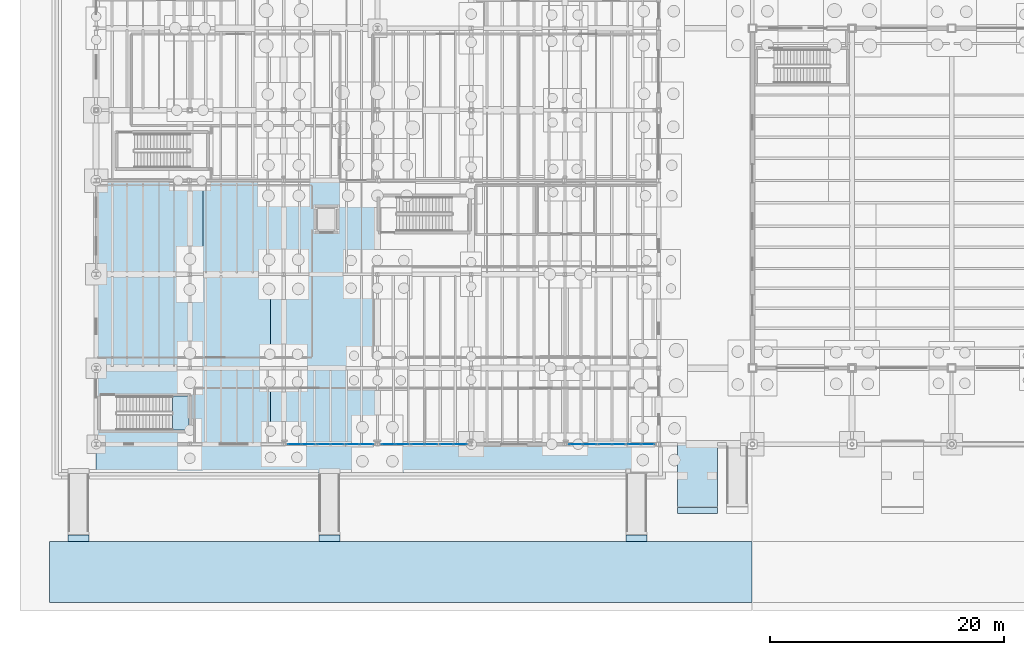
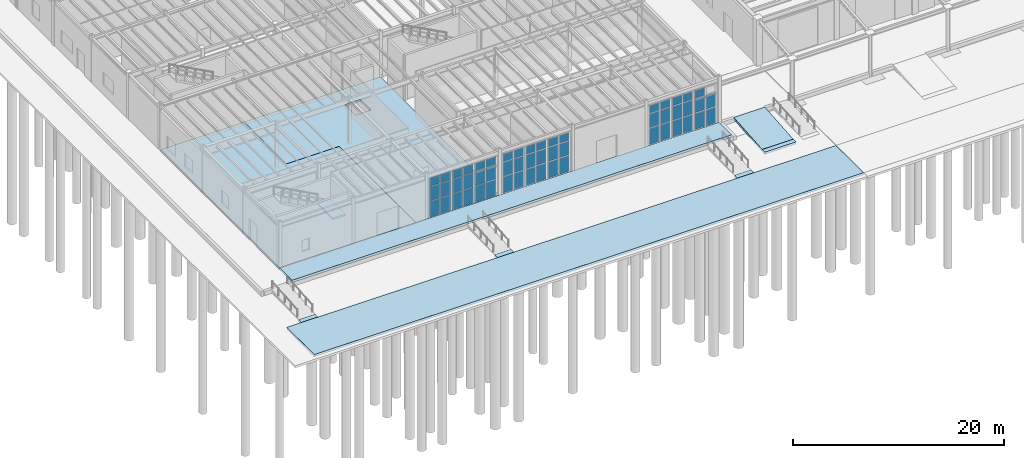
# One storey, part 48 of 86: 53 plates, 10 slabs, 10 elements without a shape of their own.
"""IFC4 building model written with IfcOpenShell, lengths in metres."""

from ifc_helpers import new_model, si_unit, direction, frame, origin, origin_2d, place, context, subcontext, project, spatial, polyline, rectangle, outline, extrude, material, layer, layer_set, type_object, element, aggregate, save


model = new_model("IFC4")

# Units and contexts
model_context = context("Model", 3, precision=1e-05, world=origin(), true_north=direction((0.0, 1.0)))
body_context = subcontext(model_context, "Body", "Model", "MODEL_VIEW")
ifc_project = project(units=[si_unit("LENGTHUNIT", "METRE"), si_unit("AREAUNIT", "SQUARE_METRE"), si_unit("VOLUMEUNIT", "CUBIC_METRE"), si_unit("PLANEANGLEUNIT", "RADIAN"), si_unit("MASSUNIT", "GRAM", prefix="KILO"), si_unit("THERMODYNAMICTEMPERATUREUNIT", "KELVIN"), si_unit("POWERUNIT", "WATT")], contexts=[model_context])

# Site, building, storey
site_placement = place(None, origin())
site = spatial("IfcSite", under=ifc_project, at=site_placement, CompositionType="ELEMENT")
building_placement = place(site_placement, origin())
building = spatial("IfcBuilding", under=site, at=building_placement, Name="Zhenchuan Central Fire Station", CompositionType="ELEMENT")
storey_placement = place(building_placement, frame((0.0, 0.0, 0.449951171875)))
storey = spatial("IfcBuildingStorey", under=building, at=storey_placement, Name="L01", CompositionType="ELEMENT", Elevation=0.449951171875)

# Curtain wall, plates
ifc_material_1 = material(Name="Anodised aluminium and low-E glazing", Category="aluminium")
curtain_wall_type_1 = type_object("IfcCurtainWallType", Name="CW-MOD-14", PredefinedType="USERDEFINED", material=ifc_material_1)
curtain_wall_1_placement = place(storey_placement, origin())
curtain_wall_1 = element("IfcCurtainWall", 1, at=curtain_wall_1_placement, inside=storey, type_object=curtain_wall_type_1, Name="L01 Unitised Curtain Wall 016", ObjectType="UNITISED GLAZING", PredefinedType="USERDEFINED")
ifc_material_2 = material(Name="Laminated low-E double glazing", Category="glass")
ifc_layer_1 = layer(ifc_material_2, 0.011962890625, Name="Laminated low-E double glazing", Category="glass")
ifc_layer_set_1 = layer_set([ifc_layer_1], Name="Laminated low-E double glazing")
plate_type = type_object("IfcPlateType", Name="CW-PNL12", PredefinedType="CURTAIN_PANEL", material=ifc_layer_set_1)
plate_1_placement = place(storey_placement, frame((16.926025390625, 0.0, 0.07080078125), z_axis=(0.0, 0.0, 1.0), x_axis=(1.0, 0.0, 0.0)))
plate_1 = element("IfcPlate", 2, at=plate_1_placement, type_object=plate_type, Name="CW-14 panel 1.1", PredefinedType="CURTAIN_PANEL", context=body_context, shape_type="SweptSolid", body=[
    extrude(rectangle(XDim=1.101806640625, YDim=0.011962890625, at=origin_2d()), origin(), (0.0, 0.0, 1.0), 1.842041015625),
])
plate_2_placement = place(storey_placement, frame((16.926025390625, 0.0, 1.988037109375), z_axis=(0.0, 0.0, 1.0), x_axis=(1.0, 0.0, 0.0)))
plate_2 = element("IfcPlate", 3, at=plate_2_placement, type_object=plate_type, Name="CW-14 panel 1.2", PredefinedType="CURTAIN_PANEL", context=body_context, shape_type="SweptSolid", body=[
    extrude(rectangle(XDim=1.101806640625, YDim=0.011962890625, at=origin_2d()), origin(), (0.0, 0.0, 1.0), 1.5966796875),
])
plate_3_placement = place(storey_placement, frame((16.926025390625, 0.0, 3.659912109375), z_axis=(0.0, 0.0, 1.0), x_axis=(1.0, 0.0, 0.0)))
plate_3 = element("IfcPlate", 4, at=plate_3_placement, type_object=plate_type, Name="CW-14 panel 1.3", PredefinedType="CURTAIN_PANEL", context=body_context, shape_type="SweptSolid", body=[
    extrude(rectangle(XDim=1.101806640625, YDim=0.011962890625, at=origin_2d()), origin(), (0.0, 0.0, 1.0), 0.9091796875),
])
plate_4_placement = place(storey_placement, frame((18.102783203125, 0.0, 0.07080078125), z_axis=(0.0, 0.0, 1.0), x_axis=(1.0, 0.0, 0.0)))
plate_4 = element("IfcPlate", 5, at=plate_4_placement, type_object=plate_type, Name="CW-14 panel 2.1", PredefinedType="CURTAIN_PANEL", context=body_context, shape_type="SweptSolid", body=[
    extrude(rectangle(XDim=1.101806640625, YDim=0.011962890625, at=origin_2d()), origin(), (0.0, 0.0, 1.0), 1.842041015625),
])
plate_5_placement = place(storey_placement, frame((18.102783203125, 0.0, 1.988037109375), z_axis=(0.0, 0.0, 1.0), x_axis=(1.0, 0.0, 0.0)))
plate_5 = element("IfcPlate", 6, at=plate_5_placement, type_object=plate_type, Name="CW-14 panel 2.2", PredefinedType="CURTAIN_PANEL", context=body_context, shape_type="SweptSolid", body=[
    extrude(rectangle(XDim=1.101806640625, YDim=0.011962890625, at=origin_2d()), origin(), (0.0, 0.0, 1.0), 1.5966796875),
])
plate_6_placement = place(storey_placement, frame((18.102783203125, 0.0, 3.659912109375), z_axis=(0.0, 0.0, 1.0), x_axis=(1.0, 0.0, 0.0)))
plate_6 = element("IfcPlate", 7, at=plate_6_placement, type_object=plate_type, Name="CW-14 panel 2.3", PredefinedType="CURTAIN_PANEL", context=body_context, shape_type="SweptSolid", body=[
    extrude(rectangle(XDim=1.101806640625, YDim=0.011962890625, at=origin_2d()), origin(), (0.0, 0.0, 1.0), 0.9091796875),
])
aggregate(curtain_wall_1, [plate_1, plate_2, plate_3, plate_4, plate_5, plate_6])

curtain_wall_type_2 = type_object("IfcCurtainWallType", Name="CW-MOD-15", PredefinedType="USERDEFINED", material=ifc_material_1)
curtain_wall_2_placement = place(storey_placement, origin())
curtain_wall_2 = element("IfcCurtainWall", 8, at=curtain_wall_2_placement, inside=storey, type_object=curtain_wall_type_2, Name="L01 Unitised Curtain Wall 017", ObjectType="UNITISED GLAZING", PredefinedType="USERDEFINED")
plate_7_placement = place(storey_placement, frame((19.421142578125, 0.0, 0.07080078125), z_axis=(0.0, 0.0, 1.0), x_axis=(1.0, 0.0, 0.0)))
plate_7 = element("IfcPlate", 9, at=plate_7_placement, type_object=plate_type, Name="CW-15 panel 1.1", PredefinedType="CURTAIN_PANEL", context=body_context, shape_type="SweptSolid", body=[
    extrude(rectangle(XDim=1.082763671875, YDim=0.011962890625, at=origin_2d()), origin(), (0.0, 0.0, 1.0), 1.842041015625),
])
plate_8_placement = place(storey_placement, frame((19.421142578125, 0.0, 1.988037109375), z_axis=(0.0, 0.0, 1.0), x_axis=(1.0, 0.0, 0.0)))
plate_8 = element("IfcPlate", 10, at=plate_8_placement, type_object=plate_type, Name="CW-15 panel 1.2", PredefinedType="CURTAIN_PANEL", context=body_context, shape_type="SweptSolid", body=[
    extrude(rectangle(XDim=1.082763671875, YDim=0.011962890625, at=origin_2d()), origin(), (0.0, 0.0, 1.0), 1.5966796875),
])
plate_9_placement = place(storey_placement, frame((19.421142578125, 0.0, 3.659912109375), z_axis=(0.0, 0.0, 1.0), x_axis=(1.0, 0.0, 0.0)))
plate_9 = element("IfcPlate", 11, at=plate_9_placement, type_object=plate_type, Name="CW-15 panel 1.3", PredefinedType="CURTAIN_PANEL", context=body_context, shape_type="SweptSolid", body=[
    extrude(rectangle(XDim=1.082763671875, YDim=0.011962890625, at=origin_2d()), origin(), (0.0, 0.0, 1.0), 0.9091796875),
])
plate_10_placement = place(storey_placement, frame((20.578857421875, 0.0, 0.07080078125), z_axis=(0.0, 0.0, 1.0), x_axis=(1.0, 0.0, 0.0)))
plate_10 = element("IfcPlate", 12, at=plate_10_placement, type_object=plate_type, Name="CW-15 panel 2.1", PredefinedType="CURTAIN_PANEL", context=body_context, shape_type="SweptSolid", body=[
    extrude(rectangle(XDim=1.082763671875, YDim=0.011962890625, at=origin_2d()), origin(), (0.0, 0.0, 1.0), 1.842041015625),
])
plate_11_placement = place(storey_placement, frame((20.578857421875, 0.0, 1.988037109375), z_axis=(0.0, 0.0, 1.0), x_axis=(1.0, 0.0, 0.0)))
plate_11 = element("IfcPlate", 13, at=plate_11_placement, type_object=plate_type, Name="CW-15 panel 2.2", PredefinedType="CURTAIN_PANEL", context=body_context, shape_type="SweptSolid", body=[
    extrude(rectangle(XDim=1.082763671875, YDim=0.011962890625, at=origin_2d()), origin(), (0.0, 0.0, 1.0), 1.5966796875),
])
plate_12_placement = place(storey_placement, frame((20.578857421875, 0.0, 3.659912109375), z_axis=(0.0, 0.0, 1.0), x_axis=(1.0, 0.0, 0.0)))
plate_12 = element("IfcPlate", 14, at=plate_12_placement, type_object=plate_type, Name="CW-15 panel 2.3", PredefinedType="CURTAIN_PANEL", context=body_context, shape_type="SweptSolid", body=[
    extrude(rectangle(XDim=1.082763671875, YDim=0.011962890625, at=origin_2d()), origin(), (0.0, 0.0, 1.0), 0.9091796875),
])
aggregate(curtain_wall_2, [plate_7, plate_8, plate_9, plate_10, plate_11, plate_12])

curtain_wall_type_3 = type_object("IfcCurtainWallType", Name="CW-MOD-16", PredefinedType="USERDEFINED", material=ifc_material_1)
curtain_wall_3_placement = place(storey_placement, origin())
curtain_wall_3 = element("IfcCurtainWall", 15, at=curtain_wall_3_placement, inside=storey, type_object=curtain_wall_type_3, Name="L01 Unitised Curtain Wall 018", ObjectType="UNITISED GLAZING", PredefinedType="USERDEFINED")
plate_13_placement = place(storey_placement, frame((21.897216796875, 0.0, 0.07080078125), z_axis=(0.0, 0.0, 1.0), x_axis=(1.0, 0.0, 0.0)))
plate_13 = element("IfcPlate", 16, at=plate_13_placement, type_object=plate_type, Name="CW-16 panel 1.1", PredefinedType="CURTAIN_PANEL", context=body_context, shape_type="SweptSolid", body=[
    extrude(rectangle(XDim=1.101806640625, YDim=0.011962890625, at=origin_2d()), origin(), (0.0, 0.0, 1.0), 1.842041015625),
])
plate_14_placement = place(storey_placement, frame((21.897216796875, 0.0, 1.988037109375), z_axis=(0.0, 0.0, 1.0), x_axis=(1.0, 0.0, 0.0)))
plate_14 = element("IfcPlate", 17, at=plate_14_placement, type_object=plate_type, Name="CW-16 panel 1.2", PredefinedType="CURTAIN_PANEL", context=body_context, shape_type="SweptSolid", body=[
    extrude(rectangle(XDim=1.101806640625, YDim=0.011962890625, at=origin_2d()), origin(), (0.0, 0.0, 1.0), 1.5966796875),
])
plate_15_placement = place(storey_placement, frame((21.897216796875, 0.0, 3.659912109375), z_axis=(0.0, 0.0, 1.0), x_axis=(1.0, 0.0, 0.0)))
plate_15 = element("IfcPlate", 18, at=plate_15_placement, type_object=plate_type, Name="CW-16 panel 1.3", PredefinedType="CURTAIN_PANEL", context=body_context, shape_type="SweptSolid", body=[
    extrude(rectangle(XDim=1.101806640625, YDim=0.011962890625, at=origin_2d()), origin(), (0.0, 0.0, 1.0), 0.9091796875),
])
plate_16_placement = place(storey_placement, frame((23.073974609375, 0.0, 0.07080078125), z_axis=(0.0, 0.0, 1.0), x_axis=(1.0, 0.0, 0.0)))
plate_16 = element("IfcPlate", 19, at=plate_16_placement, type_object=plate_type, Name="CW-16 panel 2.1", PredefinedType="CURTAIN_PANEL", context=body_context, shape_type="SweptSolid", body=[
    extrude(rectangle(XDim=1.101806640625, YDim=0.011962890625, at=origin_2d()), origin(), (0.0, 0.0, 1.0), 1.842041015625),
])
plate_17_placement = place(storey_placement, frame((23.073974609375, 0.0, 1.988037109375), z_axis=(0.0, 0.0, 1.0), x_axis=(1.0, 0.0, 0.0)))
plate_17 = element("IfcPlate", 20, at=plate_17_placement, type_object=plate_type, Name="CW-16 panel 2.2", PredefinedType="CURTAIN_PANEL", context=body_context, shape_type="SweptSolid", body=[
    extrude(rectangle(XDim=1.101806640625, YDim=0.011962890625, at=origin_2d()), origin(), (0.0, 0.0, 1.0), 1.5966796875),
])
plate_18_placement = place(storey_placement, frame((23.073974609375, 0.0, 3.659912109375), z_axis=(0.0, 0.0, 1.0), x_axis=(1.0, 0.0, 0.0)))
plate_18 = element("IfcPlate", 21, at=plate_18_placement, type_object=plate_type, Name="CW-16 panel 2.3", PredefinedType="CURTAIN_PANEL", context=body_context, shape_type="SweptSolid", body=[
    extrude(rectangle(XDim=1.101806640625, YDim=0.011962890625, at=origin_2d()), origin(), (0.0, 0.0, 1.0), 0.9091796875),
])
aggregate(curtain_wall_3, [plate_13, plate_14, plate_15, plate_16, plate_17, plate_18])

curtain_wall_4_placement = place(storey_placement, origin())
curtain_wall_4 = element("IfcCurtainWall", 22, at=curtain_wall_4_placement, inside=storey, type_object=curtain_wall_type_2, Name="L01 Unitised Curtain Wall 019", ObjectType="UNITISED GLAZING", PredefinedType="USERDEFINED")
plate_19_placement = place(storey_placement, frame((24.926025390625, 0.0, 0.0712890625), z_axis=(0.0, 0.0, 1.0), x_axis=(1.0, 0.0, 0.0)))
plate_19 = element("IfcPlate", 23, at=plate_19_placement, type_object=plate_type, Name="CW-15 panel 1.1", PredefinedType="CURTAIN_PANEL", context=body_context, shape_type="SweptSolid", body=[
    extrude(rectangle(XDim=1.101806640625, YDim=0.011962890625, at=origin_2d()), origin(), (0.0, 0.0, 1.0), 1.844482421875),
])
plate_20_placement = place(storey_placement, frame((24.926025390625, 0.0, 1.990478515625), z_axis=(0.0, 0.0, 1.0), x_axis=(1.0, 0.0, 0.0)))
plate_20 = element("IfcPlate", 24, at=plate_20_placement, type_object=plate_type, Name="CW-15 panel 1.2", PredefinedType="CURTAIN_PANEL", context=body_context, shape_type="SweptSolid", body=[
    extrude(rectangle(XDim=1.101806640625, YDim=0.011962890625, at=origin_2d()), origin(), (0.0, 0.0, 1.0), 1.59912109375),
])
plate_21_placement = place(storey_placement, frame((24.926025390625, 0.0, 3.66455078125), z_axis=(0.0, 0.0, 1.0), x_axis=(1.0, 0.0, 0.0)))
plate_21 = element("IfcPlate", 25, at=plate_21_placement, type_object=plate_type, Name="CW-15 panel 1.3", PredefinedType="CURTAIN_PANEL", context=body_context, shape_type="SweptSolid", body=[
    extrude(rectangle(XDim=1.101806640625, YDim=0.011962890625, at=origin_2d()), origin(), (0.0, 0.0, 1.0), 0.910400390625),
])
plate_22_placement = place(storey_placement, frame((26.102783203125, 0.0, 0.0712890625), z_axis=(0.0, 0.0, 1.0), x_axis=(1.0, 0.0, 0.0)))
plate_22 = element("IfcPlate", 26, at=plate_22_placement, type_object=plate_type, Name="CW-15 panel 2.1", PredefinedType="CURTAIN_PANEL", context=body_context, shape_type="SweptSolid", body=[
    extrude(rectangle(XDim=1.101806640625, YDim=0.011962890625, at=origin_2d()), origin(), (0.0, 0.0, 1.0), 1.844482421875),
])
plate_23_placement = place(storey_placement, frame((26.102783203125, 0.0, 1.990478515625), z_axis=(0.0, 0.0, 1.0), x_axis=(1.0, 0.0, 0.0)))
plate_23 = element("IfcPlate", 27, at=plate_23_placement, type_object=plate_type, Name="CW-15 panel 2.2", PredefinedType="CURTAIN_PANEL", context=body_context, shape_type="SweptSolid", body=[
    extrude(rectangle(XDim=1.101806640625, YDim=0.011962890625, at=origin_2d()), origin(), (0.0, 0.0, 1.0), 1.59912109375),
])
plate_24_placement = place(storey_placement, frame((26.102783203125, 0.0, 3.66455078125), z_axis=(0.0, 0.0, 1.0), x_axis=(1.0, 0.0, 0.0)))
plate_24 = element("IfcPlate", 28, at=plate_24_placement, type_object=plate_type, Name="CW-15 panel 2.3", PredefinedType="CURTAIN_PANEL", context=body_context, shape_type="SweptSolid", body=[
    extrude(rectangle(XDim=1.101806640625, YDim=0.011962890625, at=origin_2d()), origin(), (0.0, 0.0, 1.0), 0.910400390625),
])
aggregate(curtain_wall_4, [plate_19, plate_20, plate_21, plate_22, plate_23, plate_24])

curtain_wall_5_placement = place(storey_placement, origin())
curtain_wall_5 = element("IfcCurtainWall", 29, at=curtain_wall_5_placement, inside=storey, type_object=curtain_wall_type_3, Name="L01 Unitised Curtain Wall 020", ObjectType="UNITISED GLAZING", PredefinedType="USERDEFINED")
plate_25_placement = place(storey_placement, frame((27.421142578125, 0.0, 0.0712890625), z_axis=(0.0, 0.0, 1.0), x_axis=(1.0, 0.0, 0.0)))
plate_25 = element("IfcPlate", 30, at=plate_25_placement, type_object=plate_type, Name="CW-16 panel 1.1", PredefinedType="CURTAIN_PANEL", context=body_context, shape_type="SweptSolid", body=[
    extrude(rectangle(XDim=1.082763671875, YDim=0.011962890625, at=origin_2d()), origin(), (0.0, 0.0, 1.0), 1.844482421875),
])
plate_26_placement = place(storey_placement, frame((27.421142578125, 0.0, 1.990478515625), z_axis=(0.0, 0.0, 1.0), x_axis=(1.0, 0.0, 0.0)))
plate_26 = element("IfcPlate", 31, at=plate_26_placement, type_object=plate_type, Name="CW-16 panel 1.2", PredefinedType="CURTAIN_PANEL", context=body_context, shape_type="SweptSolid", body=[
    extrude(rectangle(XDim=1.082763671875, YDim=0.011962890625, at=origin_2d()), origin(), (0.0, 0.0, 1.0), 1.59912109375),
])
plate_27_placement = place(storey_placement, frame((27.421142578125, 0.0, 3.66455078125), z_axis=(0.0, 0.0, 1.0), x_axis=(1.0, 0.0, 0.0)))
plate_27 = element("IfcPlate", 32, at=plate_27_placement, type_object=plate_type, Name="CW-16 panel 1.3", PredefinedType="CURTAIN_PANEL", context=body_context, shape_type="SweptSolid", body=[
    extrude(rectangle(XDim=1.082763671875, YDim=0.011962890625, at=origin_2d()), origin(), (0.0, 0.0, 1.0), 0.910400390625),
])
plate_28_placement = place(storey_placement, frame((28.578857421875, 0.0, 0.0712890625), z_axis=(0.0, 0.0, 1.0), x_axis=(1.0, 0.0, 0.0)))
plate_28 = element("IfcPlate", 33, at=plate_28_placement, type_object=plate_type, Name="CW-16 panel 2.1", PredefinedType="CURTAIN_PANEL", context=body_context, shape_type="SweptSolid", body=[
    extrude(rectangle(XDim=1.082763671875, YDim=0.011962890625, at=origin_2d()), origin(), (0.0, 0.0, 1.0), 1.844482421875),
])
plate_29_placement = place(storey_placement, frame((28.578857421875, 0.0, 1.990478515625), z_axis=(0.0, 0.0, 1.0), x_axis=(1.0, 0.0, 0.0)))
plate_29 = element("IfcPlate", 34, at=plate_29_placement, type_object=plate_type, Name="CW-16 panel 2.2", PredefinedType="CURTAIN_PANEL", context=body_context, shape_type="SweptSolid", body=[
    extrude(rectangle(XDim=1.082763671875, YDim=0.011962890625, at=origin_2d()), origin(), (0.0, 0.0, 1.0), 1.59912109375),
])
plate_30_placement = place(storey_placement, frame((28.578857421875, 0.0, 3.66455078125), z_axis=(0.0, 0.0, 1.0), x_axis=(1.0, 0.0, 0.0)))
plate_30 = element("IfcPlate", 35, at=plate_30_placement, type_object=plate_type, Name="CW-16 panel 2.3", PredefinedType="CURTAIN_PANEL", context=body_context, shape_type="SweptSolid", body=[
    extrude(rectangle(XDim=1.082763671875, YDim=0.011962890625, at=origin_2d()), origin(), (0.0, 0.0, 1.0), 0.910400390625),
])
aggregate(curtain_wall_5, [plate_25, plate_26, plate_27, plate_28, plate_29, plate_30])

curtain_wall_type_4 = type_object("IfcCurtainWallType", Name="CW-MOD-17", PredefinedType="USERDEFINED", material=ifc_material_1)
curtain_wall_6_placement = place(storey_placement, origin())
curtain_wall_6 = element("IfcCurtainWall", 36, at=curtain_wall_6_placement, inside=storey, type_object=curtain_wall_type_4, Name="L01 Unitised Curtain Wall 021", ObjectType="UNITISED GLAZING", PredefinedType="USERDEFINED")
plate_31_placement = place(storey_placement, frame((29.897216796875, 0.0, 0.0712890625), z_axis=(0.0, 0.0, 1.0), x_axis=(1.0, 0.0, 0.0)))
plate_31 = element("IfcPlate", 37, at=plate_31_placement, type_object=plate_type, Name="CW-17 panel 1.1", PredefinedType="CURTAIN_PANEL", context=body_context, shape_type="SweptSolid", body=[
    extrude(rectangle(XDim=1.101806640625, YDim=0.011962890625, at=origin_2d()), origin(), (0.0, 0.0, 1.0), 1.844482421875),
])
plate_32_placement = place(storey_placement, frame((29.897216796875, 0.0, 1.990478515625), z_axis=(0.0, 0.0, 1.0), x_axis=(1.0, 0.0, 0.0)))
plate_32 = element("IfcPlate", 38, at=plate_32_placement, type_object=plate_type, Name="CW-17 panel 1.2", PredefinedType="CURTAIN_PANEL", context=body_context, shape_type="SweptSolid", body=[
    extrude(rectangle(XDim=1.101806640625, YDim=0.011962890625, at=origin_2d()), origin(), (0.0, 0.0, 1.0), 1.59912109375),
])
plate_33_placement = place(storey_placement, frame((29.897216796875, 0.0, 3.66455078125), z_axis=(0.0, 0.0, 1.0), x_axis=(1.0, 0.0, 0.0)))
plate_33 = element("IfcPlate", 39, at=plate_33_placement, type_object=plate_type, Name="CW-17 panel 1.3", PredefinedType="CURTAIN_PANEL", context=body_context, shape_type="SweptSolid", body=[
    extrude(rectangle(XDim=1.101806640625, YDim=0.011962890625, at=origin_2d()), origin(), (0.0, 0.0, 1.0), 0.910400390625),
])
plate_34_placement = place(storey_placement, frame((31.073974609375, 0.0, 0.0712890625), z_axis=(0.0, 0.0, 1.0), x_axis=(1.0, 0.0, 0.0)))
plate_34 = element("IfcPlate", 40, at=plate_34_placement, type_object=plate_type, Name="CW-17 panel 2.1", PredefinedType="CURTAIN_PANEL", context=body_context, shape_type="SweptSolid", body=[
    extrude(rectangle(XDim=1.101806640625, YDim=0.011962890625, at=origin_2d()), origin(), (0.0, 0.0, 1.0), 1.844482421875),
])
plate_35_placement = place(storey_placement, frame((31.073974609375, 0.0, 1.990478515625), z_axis=(0.0, 0.0, 1.0), x_axis=(1.0, 0.0, 0.0)))
plate_35 = element("IfcPlate", 41, at=plate_35_placement, type_object=plate_type, Name="CW-17 panel 2.2", PredefinedType="CURTAIN_PANEL", context=body_context, shape_type="SweptSolid", body=[
    extrude(rectangle(XDim=1.101806640625, YDim=0.011962890625, at=origin_2d()), origin(), (0.0, 0.0, 1.0), 1.59912109375),
])
plate_36_placement = place(storey_placement, frame((31.073974609375, 0.0, 3.66455078125), z_axis=(0.0, 0.0, 1.0), x_axis=(1.0, 0.0, 0.0)))
plate_36 = element("IfcPlate", 42, at=plate_36_placement, type_object=plate_type, Name="CW-17 panel 2.3", PredefinedType="CURTAIN_PANEL", context=body_context, shape_type="SweptSolid", body=[
    extrude(rectangle(XDim=1.101806640625, YDim=0.011962890625, at=origin_2d()), origin(), (0.0, 0.0, 1.0), 0.910400390625),
])
aggregate(curtain_wall_6, [plate_31, plate_32, plate_33, plate_34, plate_35, plate_36])

curtain_wall_7_placement = place(storey_placement, origin())
curtain_wall_7 = element("IfcCurtainWall", 43, at=curtain_wall_7_placement, inside=storey, type_object=curtain_wall_type_4, Name="L01 Unitised Curtain Wall 022", ObjectType="UNITISED GLAZING", PredefinedType="USERDEFINED")
plate_37_placement = place(storey_placement, frame((40.926025390625, 0.0, 0.0712890625), z_axis=(0.0, 0.0, 1.0), x_axis=(1.0, 0.0, 0.0)))
plate_37 = element("IfcPlate", 44, at=plate_37_placement, type_object=plate_type, Name="CW-17 panel 1.1", PredefinedType="CURTAIN_PANEL", context=body_context, shape_type="SweptSolid", body=[
    extrude(rectangle(XDim=1.101806640625, YDim=0.011962890625, at=origin_2d()), origin(), (0.0, 0.0, 1.0), 1.844482421875),
])
plate_38_placement = place(storey_placement, frame((40.926025390625, 0.0, 1.990478515625), z_axis=(0.0, 0.0, 1.0), x_axis=(1.0, 0.0, 0.0)))
plate_38 = element("IfcPlate", 45, at=plate_38_placement, type_object=plate_type, Name="CW-17 panel 1.2", PredefinedType="CURTAIN_PANEL", context=body_context, shape_type="SweptSolid", body=[
    extrude(rectangle(XDim=1.101806640625, YDim=0.011962890625, at=origin_2d()), origin(), (0.0, 0.0, 1.0), 1.59912109375),
])
plate_39_placement = place(storey_placement, frame((40.926025390625, 0.0, 3.66455078125), z_axis=(0.0, 0.0, 1.0), x_axis=(1.0, 0.0, 0.0)))
plate_39 = element("IfcPlate", 46, at=plate_39_placement, type_object=plate_type, Name="CW-17 panel 1.3", PredefinedType="CURTAIN_PANEL", context=body_context, shape_type="SweptSolid", body=[
    extrude(rectangle(XDim=1.101806640625, YDim=0.011962890625, at=origin_2d()), origin(), (0.0, 0.0, 1.0), 0.910400390625),
])
plate_40_placement = place(storey_placement, frame((42.102783203125, 0.0, 0.0712890625), z_axis=(0.0, 0.0, 1.0), x_axis=(1.0, 0.0, 0.0)))
plate_40 = element("IfcPlate", 47, at=plate_40_placement, type_object=plate_type, Name="CW-17 panel 2.1", PredefinedType="CURTAIN_PANEL", context=body_context, shape_type="SweptSolid", body=[
    extrude(rectangle(XDim=1.101806640625, YDim=0.011962890625, at=origin_2d()), origin(), (0.0, 0.0, 1.0), 1.844482421875),
])
plate_41_placement = place(storey_placement, frame((42.102783203125, 0.0, 1.990478515625), z_axis=(0.0, 0.0, 1.0), x_axis=(1.0, 0.0, 0.0)))
plate_41 = element("IfcPlate", 48, at=plate_41_placement, type_object=plate_type, Name="CW-17 panel 2.2", PredefinedType="CURTAIN_PANEL", context=body_context, shape_type="SweptSolid", body=[
    extrude(rectangle(XDim=1.101806640625, YDim=0.011962890625, at=origin_2d()), origin(), (0.0, 0.0, 1.0), 1.59912109375),
])
plate_42_placement = place(storey_placement, frame((42.102783203125, 0.0, 3.66455078125), z_axis=(0.0, 0.0, 1.0), x_axis=(1.0, 0.0, 0.0)))
plate_42 = element("IfcPlate", 49, at=plate_42_placement, type_object=plate_type, Name="CW-17 panel 2.3", PredefinedType="CURTAIN_PANEL", context=body_context, shape_type="SweptSolid", body=[
    extrude(rectangle(XDim=1.101806640625, YDim=0.011962890625, at=origin_2d()), origin(), (0.0, 0.0, 1.0), 0.910400390625),
])
aggregate(curtain_wall_7, [plate_37, plate_38, plate_39, plate_40, plate_41, plate_42])

curtain_wall_type_5 = type_object("IfcCurtainWallType", Name="CW-MOD-18", PredefinedType="USERDEFINED", material=ifc_material_1)
curtain_wall_8_placement = place(storey_placement, origin())
curtain_wall_8 = element("IfcCurtainWall", 50, at=curtain_wall_8_placement, inside=storey, type_object=curtain_wall_type_5, Name="L01 Unitised Curtain Wall 023", ObjectType="UNITISED GLAZING", PredefinedType="USERDEFINED")
plate_43_placement = place(storey_placement, frame((43.421142578125, 0.0, 0.0712890625), z_axis=(0.0, 0.0, 1.0), x_axis=(1.0, 0.0, 0.0)))
plate_43 = element("IfcPlate", 51, at=plate_43_placement, type_object=plate_type, Name="CW-18 panel 1.1", PredefinedType="CURTAIN_PANEL", context=body_context, shape_type="SweptSolid", body=[
    extrude(rectangle(XDim=1.082763671875, YDim=0.011962890625, at=origin_2d()), origin(), (0.0, 0.0, 1.0), 1.844482421875),
])
plate_44_placement = place(storey_placement, frame((43.421142578125, 0.0, 1.990478515625), z_axis=(0.0, 0.0, 1.0), x_axis=(1.0, 0.0, 0.0)))
plate_44 = element("IfcPlate", 52, at=plate_44_placement, type_object=plate_type, Name="CW-18 panel 1.2", PredefinedType="CURTAIN_PANEL", context=body_context, shape_type="SweptSolid", body=[
    extrude(rectangle(XDim=1.082763671875, YDim=0.011962890625, at=origin_2d()), origin(), (0.0, 0.0, 1.0), 1.59912109375),
])
plate_45_placement = place(storey_placement, frame((43.421142578125, 0.0, 3.66455078125), z_axis=(0.0, 0.0, 1.0), x_axis=(1.0, 0.0, 0.0)))
plate_45 = element("IfcPlate", 53, at=plate_45_placement, type_object=plate_type, Name="CW-18 panel 1.3", PredefinedType="CURTAIN_PANEL", context=body_context, shape_type="SweptSolid", body=[
    extrude(rectangle(XDim=1.082763671875, YDim=0.011962890625, at=origin_2d()), origin(), (0.0, 0.0, 1.0), 0.910400390625),
])
plate_46_placement = place(storey_placement, frame((44.578857421875, 0.0, 0.0712890625), z_axis=(0.0, 0.0, 1.0), x_axis=(1.0, 0.0, 0.0)))
plate_46 = element("IfcPlate", 54, at=plate_46_placement, type_object=plate_type, Name="CW-18 panel 2.1", PredefinedType="CURTAIN_PANEL", context=body_context, shape_type="SweptSolid", body=[
    extrude(rectangle(XDim=1.082763671875, YDim=0.011962890625, at=origin_2d()), origin(), (0.0, 0.0, 1.0), 1.844482421875),
])
plate_47_placement = place(storey_placement, frame((44.578857421875, 0.0, 1.990478515625), z_axis=(0.0, 0.0, 1.0), x_axis=(1.0, 0.0, 0.0)))
plate_47 = element("IfcPlate", 55, at=plate_47_placement, type_object=plate_type, Name="CW-18 panel 2.2", PredefinedType="CURTAIN_PANEL", context=body_context, shape_type="SweptSolid", body=[
    extrude(rectangle(XDim=1.082763671875, YDim=0.011962890625, at=origin_2d()), origin(), (0.0, 0.0, 1.0), 1.59912109375),
])
plate_48_placement = place(storey_placement, frame((44.578857421875, 0.0, 3.66455078125), z_axis=(0.0, 0.0, 1.0), x_axis=(1.0, 0.0, 0.0)))
plate_48 = element("IfcPlate", 56, at=plate_48_placement, type_object=plate_type, Name="CW-18 panel 2.3", PredefinedType="CURTAIN_PANEL", context=body_context, shape_type="SweptSolid", body=[
    extrude(rectangle(XDim=1.082763671875, YDim=0.011962890625, at=origin_2d()), origin(), (0.0, 0.0, 1.0), 0.910400390625),
])
aggregate(curtain_wall_8, [plate_43, plate_44, plate_45, plate_46, plate_47, plate_48])

curtain_wall_type_6 = type_object("IfcCurtainWallType", Name="CW-MOD-19", PredefinedType="USERDEFINED", material=ifc_material_1)
curtain_wall_9_placement = place(storey_placement, origin())
curtain_wall_9 = element("IfcCurtainWall", 57, at=curtain_wall_9_placement, inside=storey, type_object=curtain_wall_type_6, Name="L01 Unitised Curtain Wall 024", ObjectType="UNITISED GLAZING", PredefinedType="USERDEFINED")
plate_49_placement = place(storey_placement, frame((45.897216796875, 0.0, 0.0712890625), z_axis=(0.0, 0.0, 1.0), x_axis=(1.0, 0.0, 0.0)))
plate_49 = element("IfcPlate", 58, at=plate_49_placement, type_object=plate_type, Name="CW-19 panel 1.1", PredefinedType="CURTAIN_PANEL", context=body_context, shape_type="SweptSolid", body=[
    extrude(rectangle(XDim=1.101806640625, YDim=0.011962890625, at=origin_2d()), origin(), (0.0, 0.0, 1.0), 1.844482421875),
])
plate_50_placement = place(storey_placement, frame((45.897216796875, 0.0, 1.990478515625), z_axis=(0.0, 0.0, 1.0), x_axis=(1.0, 0.0, 0.0)))
plate_50 = element("IfcPlate", 59, at=plate_50_placement, type_object=plate_type, Name="CW-19 panel 1.2", PredefinedType="CURTAIN_PANEL", context=body_context, shape_type="SweptSolid", body=[
    extrude(rectangle(XDim=1.101806640625, YDim=0.011962890625, at=origin_2d()), origin(), (0.0, 0.0, 1.0), 1.59912109375),
])
plate_51_placement = place(storey_placement, frame((45.897216796875, 0.0, 3.66455078125), z_axis=(0.0, 0.0, 1.0), x_axis=(1.0, 0.0, 0.0)))
plate_51 = element("IfcPlate", 60, at=plate_51_placement, type_object=plate_type, Name="CW-19 panel 1.3", PredefinedType="CURTAIN_PANEL", context=body_context, shape_type="SweptSolid", body=[
    extrude(rectangle(XDim=1.101806640625, YDim=0.011962890625, at=origin_2d()), origin(), (0.0, 0.0, 1.0), 0.910400390625),
])
plate_52_placement = place(storey_placement, frame((47.073974609375, 0.0, 0.0712890625), z_axis=(0.0, 0.0, 1.0), x_axis=(1.0, 0.0, 0.0)))
plate_52 = element("IfcPlate", 61, at=plate_52_placement, type_object=plate_type, Name="CW-19 panel 2.1", PredefinedType="CURTAIN_PANEL", context=body_context, shape_type="SweptSolid", body=[
    extrude(rectangle(XDim=1.101806640625, YDim=0.011962890625, at=origin_2d()), origin(), (0.0, 0.0, 1.0), 1.844482421875),
])
plate_53_placement = place(storey_placement, frame((47.073974609375, 0.0, 1.990478515625), z_axis=(0.0, 0.0, 1.0), x_axis=(1.0, 0.0, 0.0)))
plate_53 = element("IfcPlate", 62, at=plate_53_placement, type_object=plate_type, Name="CW-19 panel 2.2", PredefinedType="CURTAIN_PANEL", context=body_context, shape_type="SweptSolid", body=[
    extrude(rectangle(XDim=1.101806640625, YDim=0.011962890625, at=origin_2d()), origin(), (0.0, 0.0, 1.0), 1.59912109375),
])
aggregate(curtain_wall_9, [plate_49, plate_50, plate_51, plate_52, plate_53])

# Slabs
ifc_material_3 = material(Name="Concrete C35/45", Category="concrete")
ifc_layer_2 = layer(ifc_material_3, 0.25, Name="Concrete C35/45", Category="concrete")
ifc_layer_set_2 = layer_set([ifc_layer_2], Name="Concrete C35/45")
slab_type_1 = type_object("IfcSlabType", Name="SL-BASE250", PredefinedType="BASESLAB", material=ifc_layer_set_2)
slab_1_placement = place(storey_placement, frame((0.0, 0.0, -0.25)))
element("IfcSlab", 63, at=slab_1_placement, inside=storey, type_object=slab_type_1, Name="L01 Gallery West Plinth Panel A", PredefinedType="BASESLAB", context=body_context, shape_type="SweptSolid", body=[
    extrude(outline(polyline([(0.0, 0.0), (14.876953125, 0.0), (14.876953125, 14.4970703125), (9.116943359375, 14.4970703125), (9.116943359375, 22.5), (0.0, 22.5), (0.0, 0.0)])), origin(), (0.0, 0.0, 1.0), 0.25),
])
slab_2_placement = place(storey_placement, frame((0.0, 0.0, -0.25)))
element("IfcSlab", 64, at=slab_2_placement, inside=storey, type_object=slab_type_1, Name="L01 Gallery West Plinth Panel B", PredefinedType="BASESLAB", context=body_context, shape_type="SweptSolid", body=[
    extrude(outline(polyline([(14.883056640625, 0.0), (24.0, 0.0), (24.0, 22.5), (9.123046875, 22.5), (9.123046875, 14.5029296875), (14.883056640625, 14.5029296875), (14.883056640625, 0.0)]), holes=[polyline([(18.800048828125, 18.199951171875), (20.5, 18.199951171875), (20.5, 20.199951171875), (18.800048828125, 20.199951171875), (18.800048828125, 18.199951171875)])]), origin(), (0.0, 0.0, 1.0), 0.25),
])
ifc_layer_3 = layer(ifc_material_3, 0.25, Name="Concrete C35/45", Category="concrete")
ifc_layer_set_3 = layer_set([ifc_layer_3], Name="Concrete C35/45")
slab_type_2 = type_object("IfcSlabType", Name="SL-BASE250-EXT", PredefinedType="BASESLAB", material=ifc_layer_set_3)
slab_3_placement = place(storey_placement, frame((0.0, 0.0, -0.699951171875)))
element("IfcSlab", 65, at=slab_3_placement, inside=storey, type_object=slab_type_2, Name="South Zhenchuan Boulevard Turnout Apron West", PredefinedType="BASESLAB", context=body_context, shape_type="SweptSolid", body=[
    extrude(outline(polyline([(-4.0, -13.5), (55.97509765625, -13.5), (55.97509765625, -8.300048828125), (-4.0, -8.300048828125), (-4.0, -13.5)])), origin(), (0.0, 0.0, 1.0), 0.25),
])
slab_4_placement = place(storey_placement, frame((0.0, 0.0, -0.25)))
element("IfcSlab", 66, at=slab_4_placement, inside=storey, type_object=slab_type_2, Name="South-West Gallery Plinth Promenade", PredefinedType="BASESLAB", context=body_context, shape_type="SweptSolid", body=[
    extrude(outline(polyline([(0.0, -2.39990234375), (48.0, -2.39990234375), (48.0, -0.00390625), (0.0, -0.00390625), (0.0, -2.39990234375)])), origin(), (0.0, 0.0, 1.0), 0.25),
])

# Stair, slab
stair_type = type_object("IfcStairType", Name="ST-CORE-L01", PredefinedType="HALF_TURN_STAIR", material=ifc_material_3)
stair_placement = place(storey_placement, origin())
stair = element("IfcStair", 67, at=stair_placement, inside=storey, type_object=stair_type, Name="L01 Gallery West Exit Stair", PredefinedType="HALF_TURN_STAIR")
ifc_layer_4 = layer(ifc_material_3, 0.159912109375, Name="Concrete C35/45", Category="concrete")
ifc_layer_set_4 = layer_set([ifc_layer_4], Name="Concrete C35/45")
slab_type_3 = type_object("IfcSlabType", Name="SL-LND160", PredefinedType="LANDING", material=ifc_layer_set_4)
slab_5_placement = place(storey_placement, frame((0.0, 0.0, 2.5)))
slab_5 = element("IfcSlab", 68, at=slab_5_placement, type_object=slab_type_3, Name="ST-01 landing 1", PredefinedType="LANDING", context=body_context, shape_type="SweptSolid", body=[
    extrude(outline(polyline([(6.510009765625, 1.199951171875), (7.909912109375, 1.199951171875), (7.909912109375, 4.10009765625), (6.510009765625, 4.10009765625), (6.510009765625, 1.199951171875)])), origin(), (0.0, 0.0, 1.0), 0.199951171875),
])
aggregate(stair, [slab_5])

# Slabs
ifc_layer_5 = layer(ifc_material_3, 0.2099609375, Name="Concrete C35/45", Category="concrete")
ifc_layer_set_5 = layer_set([ifc_layer_5], Name="Concrete C35/45")
slab_type_4 = type_object("IfcSlabType", Name="SL-LND210", PredefinedType="LANDING", material=ifc_layer_set_5)
slab_6_placement = place(storey_placement, frame((0.0, 0.0, -0.7099609375)))
element("IfcSlab", 69, at=slab_6_placement, inside=storey, type_object=slab_type_4, Name="Gallery Accessible Wheelchair Ramp RP-01 Lower Landing", PredefinedType="LANDING", context=body_context, shape_type="SweptSolid", body=[
    extrude(outline(polyline([(19.0, -8.300048828125), (20.800048828125, -8.300048828125), (20.800048828125, -7.760009765625), (19.0, -7.760009765625), (19.0, -8.300048828125)])), origin(), (0.0, 0.0, 1.0), 0.260009765625),
])
slab_7_placement = place(storey_placement, frame((0.0, 0.0, -0.7099609375)))
element("IfcSlab", 70, at=slab_7_placement, inside=storey, type_object=slab_type_4, Name="Boulevard Canopy Accessible Ramp RP-02 Lower Landing", PredefinedType="LANDING", context=body_context, shape_type="SweptSolid", body=[
    extrude(outline(polyline([(45.199951171875, -8.300048828125), (47.0, -8.300048828125), (47.0, -7.760009765625), (45.199951171875, -7.760009765625), (45.199951171875, -8.300048828125)])), origin(), (0.0, 0.0, 1.0), 0.260009765625),
])
slab_8_placement = place(storey_placement, frame((0.0, 0.0, -0.7099609375)))
element("IfcSlab", 71, at=slab_8_placement, inside=storey, type_object=slab_type_4, Name="West Promenade Accessible Ramp RP-04 Lower Landing", PredefinedType="LANDING", context=body_context, shape_type="SweptSolid", body=[
    extrude(outline(polyline([(-2.39990234375, -8.300048828125), (-0.60009765625, -8.300048828125), (-0.60009765625, -7.760009765625), (-2.39990234375, -7.760009765625), (-2.39990234375, -8.300048828125)])), origin(), (0.0, 0.0, 1.0), 0.260009765625),
])
slab_9_placement = place(storey_placement, frame((0.0, 0.0, -0.7099609375)))
element("IfcSlab", 72, at=slab_9_placement, inside=storey, type_object=slab_type_4, Name="Courtyard Loop Road Vehicle Ramp West Lower Landing", PredefinedType="LANDING", context=body_context, shape_type="SweptSolid", body=[
    extrude(outline(polyline([(49.60009765625, -5.89990234375), (53.0, -5.89990234375), (53.0, -5.382080078125), (49.60009765625, -5.382080078125), (49.60009765625, -5.89990234375)])), origin(), (0.0, 0.0, 1.0), 0.260009765625),
])
ifc_layer_6 = layer(ifc_material_3, 0.25, Name="Concrete C35/45", Category="concrete")
ifc_layer_set_6 = layer_set([ifc_layer_6], Name="Concrete C35/45")
slab_type_5 = type_object("IfcSlabType", Name="SL-RMP250", PredefinedType="BASESLAB", material=ifc_layer_set_6)
slab_10_placement = place(storey_placement, frame((49.60009765625, -5.3779296875, -0.447998046875), z_axis=(0.0, -0.083008043113, 0.996548877265), x_axis=(1.0, 0.0, 0.0)))
element("IfcSlab", 73, at=slab_10_placement, inside=storey, type_object=slab_type_5, Name="Courtyard Loop Road Vehicle Ramp West Structural Ramp Slab", PredefinedType="BASESLAB", context=body_context, shape_type="SweptSolid", body=[
    extrude(outline(polyline([(0.0, 0.0), (3.39990234375, 0.0), (3.39990234375, 5.397043829410383), (0.0, 5.397043829410383), (0.0, 0.0)])), origin(), (0.0, 0.0, -1.0), 0.25),
])

save(model, "model.ifc")
